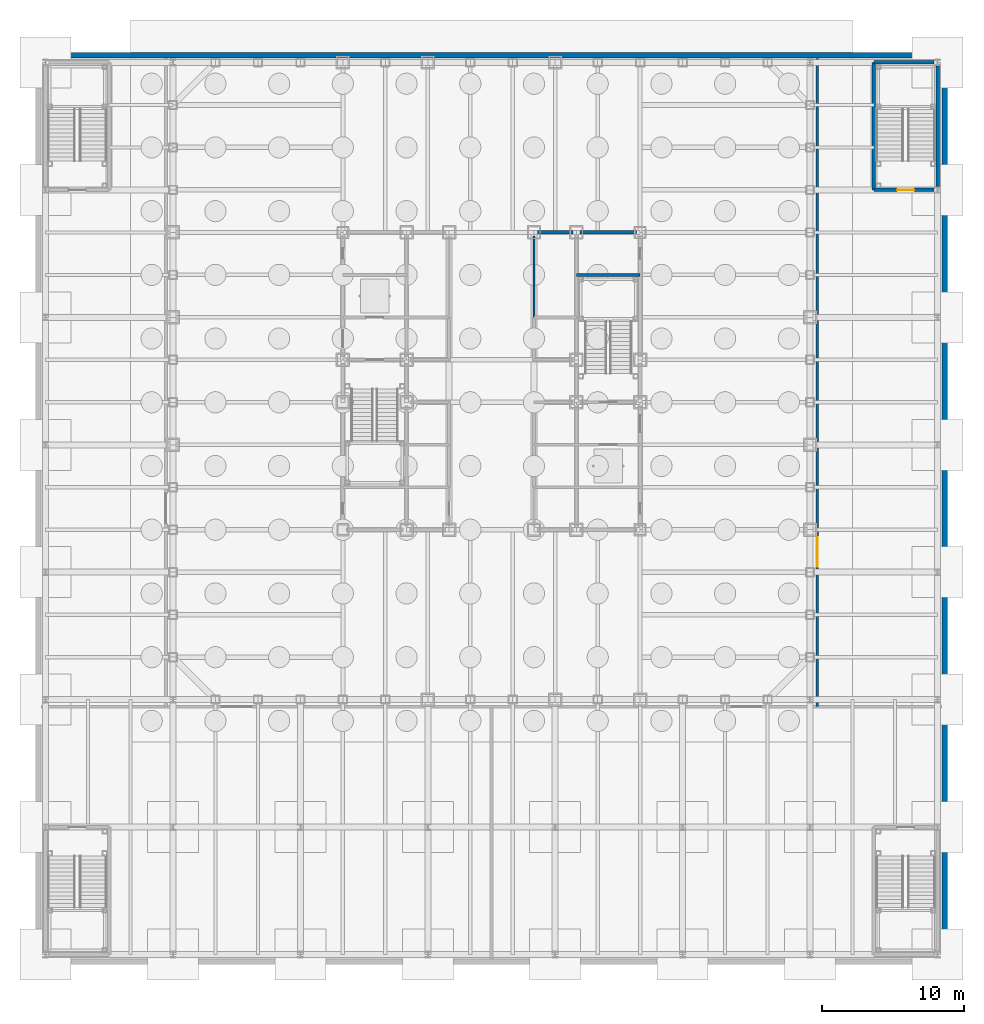
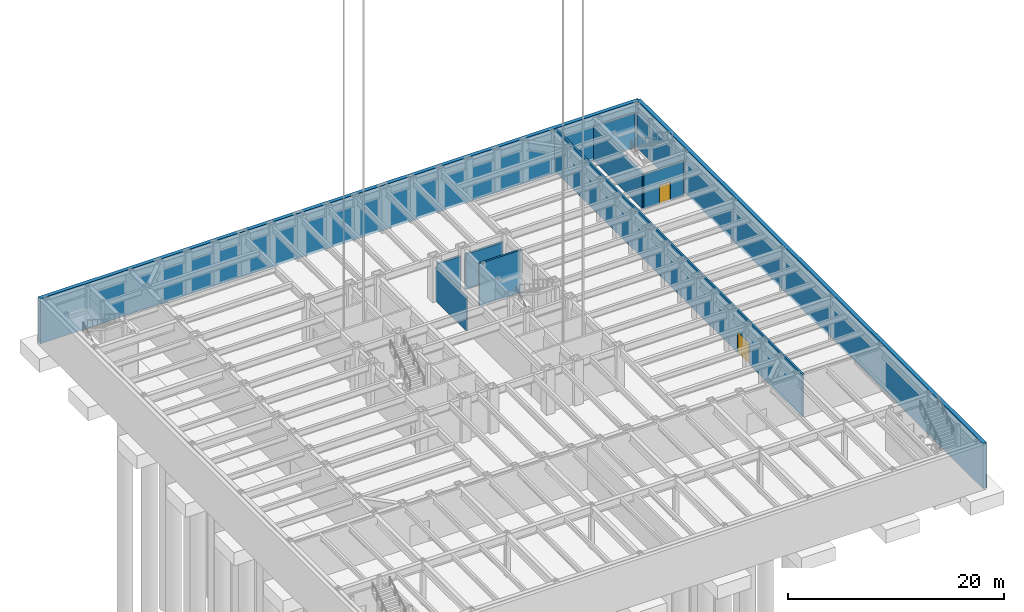
# One storey, part 8 of 18: 11 walls, 2 doors, 2 openings.
"""IFC4 building model written with IfcOpenShell, lengths in metres."""

from ifc_helpers import new_model, si_unit, direction, frame, frame_2d, origin, place, context, subcontext, project, spatial, rectangle, extrude, material, layer, layer_set, type_object, element, fill, save


model = new_model("IFC4")

# Units and contexts
model_context = context("Model", 3, precision=1e-05, world=origin(), true_north=direction((0.0, 1.0)))
body_context = subcontext(model_context, "Body", "Model", "MODEL_VIEW")
ifc_project = project(units=[si_unit("LENGTHUNIT", "METRE"), si_unit("AREAUNIT", "SQUARE_METRE"), si_unit("VOLUMEUNIT", "CUBIC_METRE"), si_unit("PLANEANGLEUNIT", "RADIAN"), si_unit("MASSUNIT", "GRAM", prefix="KILO")], contexts=[model_context])

# Site, building, storey
site_placement = place(None, origin())
site = spatial("IfcSite", under=ifc_project, at=site_placement, CompositionType="ELEMENT")
building_placement = place(site_placement, origin())
building = spatial("IfcBuilding", under=site, at=building_placement, Name="Chuquiago Exchange Tower", CompositionType="ELEMENT")
storey_placement = place(building_placement, frame((0.0, 0.0, -5.0)))
storey = spatial("IfcBuildingStorey", under=building, at=storey_placement, Name="B1", CompositionType="ELEMENT", Elevation=-5.0)

# Walls
ifc_material_1 = material(Name="Concrete masonry, fully grouted", Category="masonry")
ifc_layer_1 = layer(ifc_material_1, 0.25)
ifc_layer_set_1 = layer_set([ifc_layer_1], Name="W1 core wall 250")
wall_type_1 = type_object("IfcWallType", Name="W1 core wall 250", PredefinedType="SOLIDWALL", material=ifc_layer_set_1)
wall_1_placement = place(storey_placement, frame((25.75, 33.0, 0.0), z_axis=(0.0, 0.0, 1.0), x_axis=(1.0, 0.0, 0.0)))
element("IfcWall", 1, at=wall_1_placement, inside=storey, type_object=wall_type_1, Name="CW-B1-12-0", PredefinedType="SOLIDWALL", context=body_context, shape_type="SweptSolid", body=[
    extrude(rectangle(XDim=2.5, YDim=0.25, at=frame_2d((1.25, 0.0))), origin(), (0.0, 0.0, 1.0), 3.94140625),
])
wall_2_placement = place(storey_placement, frame((28.75, 33.0, 0.0), z_axis=(0.0, 0.0, 1.0), x_axis=(1.0, 0.0, 0.0)))
element("IfcWall", 2, at=wall_2_placement, inside=storey, type_object=wall_type_1, Name="CW-B1-12-1", PredefinedType="SOLIDWALL", context=body_context, shape_type="SweptSolid", body=[
    extrude(rectangle(XDim=4.0, YDim=0.25, at=frame_2d((2.0, 0.0))), origin(), (0.0, 0.0, 1.0), 3.94140625),
])

# Wall, opening, door
ifc_material_2 = material(Name="Concrete masonry, fully grouted", Category="masonry")
ifc_layer_2 = layer(ifc_material_2, 0.25)
ifc_layer_set_2 = layer_set([ifc_layer_2], Name="W10 podium stair wall 250")
wall_type_2 = type_object("IfcWallType", Name="W10 podium stair wall 250", PredefinedType="SOLIDWALL", material=ifc_layer_set_2)
wall_3_placement = place(storey_placement, frame((49.5, 36.0, 0.0), z_axis=(0.0, 0.0, 1.0), x_axis=(1.0, 0.0, 0.0)))
wall_3 = element("IfcWall", 3, at=wall_3_placement, inside=storey, type_object=wall_type_2, Name="PSW-B1-PS4-00", PredefinedType="SOLIDWALL", context=body_context, shape_type="SweptSolid", body=[
    extrude(rectangle(XDim=4.25, YDim=0.25, at=frame_2d((2.125, 0.0))), origin(), (0.0, 0.0, 1.0), 3.8525390625),
])
opening_1_placement = place(wall_3_placement, frame((1.64990234375, 0.0, 0.0)))
opening_1 = element("IfcOpeningElement", 4, at=opening_1_placement, cuts=wall_3, Name="Opening B1-019", PredefinedType="OPENING", context=body_context, shape_type="SweptSolid", body=[
    extrude(rectangle(XDim=1.199951171875, YDim=2.10009765625, at=frame_2d((0.60009765625, 1.050048828125))), frame((0.0, 0.135009765625, 0.0), z_axis=(0.0, -1.0, 0.0), x_axis=(1.0, 0.0, 0.0)), (0.0, 0.0, 1.0), 0.27001953125),
])
ifc_material_3 = material(Name="Steel door, painted", Category="steel")
door_type_1 = type_object("IfcDoorType", Name="D4 stair door 1200x2100", OperationType="SINGLE_SWING_LEFT", PredefinedType="DOOR", material=ifc_material_3)
door_1_placement = place(opening_1_placement, origin())
door_1 = element("IfcDoor", 5, at=door_1_placement, inside=storey, type_object=door_type_1, Name="Stair PS4 door", OperationType="SINGLE_SWING_LEFT", OverallHeight=2.10009765625, OverallWidth=1.199951171875, PredefinedType="DOOR", context=body_context, shape_type="SweptSolid", body=[
    extrude(rectangle(XDim=1.199951171875, YDim=2.10009765625, at=frame_2d((0.60009765625, 1.050048828125))), frame((0.0, 0.02490234375, 0.0), z_axis=(0.0, -1.0, 0.0), x_axis=(1.0, 0.0, 0.0)), (0.0, 0.0, 1.0), 0.050048828125),
])
fill(opening_1, door_1)

# Walls
wall_4_placement = place(storey_placement, frame((54.0, 36.25, 0.0), z_axis=(0.0, 0.0, 1.0), x_axis=(0.0, 1.0, 0.0)))
element("IfcWall", 6, at=wall_4_placement, inside=storey, type_object=wall_type_2, Name="PSW-B1-PS4-10", PredefinedType="SOLIDWALL", context=body_context, shape_type="SweptSolid", body=[
    extrude(rectangle(XDim=8.5, YDim=0.25, at=frame_2d((4.25, 0.0))), origin(), (0.0, 0.0, 1.0), 3.8525390625),
])
wall_5_placement = place(storey_placement, frame((49.5, 45.0, 0.0), z_axis=(0.0, 0.0, 1.0), x_axis=(1.0, 0.0, 0.0)))
element("IfcWall", 7, at=wall_5_placement, inside=storey, type_object=wall_type_2, Name="PSW-B1-PS4-20", PredefinedType="SOLIDWALL", context=body_context, shape_type="SweptSolid", body=[
    extrude(rectangle(XDim=4.25, YDim=0.25, at=frame_2d((2.125, 0.0))), origin(), (0.0, 0.0, 1.0), 3.8525390625),
])
wall_6_placement = place(storey_placement, frame((49.5, 36.0, 0.0), z_axis=(0.0, 0.0, 1.0), x_axis=(0.0, 1.0, 0.0)))
element("IfcWall", 8, at=wall_6_placement, inside=storey, type_object=wall_type_2, Name="PSW-B1-PS4-30", PredefinedType="SOLIDWALL", context=body_context, shape_type="SweptSolid", body=[
    extrude(rectangle(XDim=9.0, YDim=0.25, at=frame_2d((4.5, 0.0))), origin(), (0.0, 0.0, 1.0), 3.8525390625),
])
ifc_material_4 = material(Name="Concrete masonry, fully grouted", Category="masonry")
ifc_layer_3 = layer(ifc_material_4, 0.199951171875)
ifc_layer_set_3 = layer_set([ifc_layer_3], Name="W2 shaft wall 200")
wall_type_3 = type_object("IfcWallType", Name="W2 shaft wall 200", PredefinedType="SOLIDWALL", material=ifc_layer_set_3)
wall_7_placement = place(storey_placement, frame((28.5, 30.0, 0.0), z_axis=(0.0, 0.0, 1.0), x_axis=(1.0, 0.0, 0.0)))
element("IfcWall", 9, at=wall_7_placement, inside=storey, type_object=wall_type_3, Name="CW-B1-10-0", PredefinedType="SOLIDWALL", context=body_context, shape_type="SweptSolid", body=[
    extrude(rectangle(XDim=4.5, YDim=0.199951171875, at=frame_2d((2.25, 0.0))), origin(), (0.0, 0.0, 1.0), 4.800048828125),
])
ifc_material_5 = material(Name="Gypsum board on steel studs", Category="steel")
ifc_layer_4 = layer(ifc_material_5, 0.14990234375)
ifc_layer_set_4 = layer_set([ifc_layer_4], Name="W3 core partition 150")
wall_type_4 = type_object("IfcWallType", Name="W3 core partition 150", PredefinedType="PARTITIONING", material=ifc_layer_set_4)
wall_8_placement = place(storey_placement, frame((25.5, 27.0, 0.0), z_axis=(0.0, 0.0, 1.0), x_axis=(0.0, 1.0, 0.0)))
element("IfcWall", 10, at=wall_8_placement, inside=storey, type_object=wall_type_4, Name="CW-B1-23-0", PredefinedType="PARTITIONING", context=body_context, shape_type="SweptSolid", body=[
    extrude(rectangle(XDim=5.75, YDim=0.14990234375, at=frame_2d((2.875, 0.0))), origin(), (0.0, 0.0, 1.0), 3.82470703125),
])

# Wall, opening, door
ifc_material_6 = material(Name="Gypsum board on steel studs, double layer", Category="steel")
ifc_layer_5 = layer(ifc_material_6, 0.199951171875)
ifc_layer_set_5 = layer_set([ifc_layer_5], Name="W6 wing partition 200")
wall_type_5 = type_object("IfcWallType", Name="W6 wing partition 200", PredefinedType="PARTITIONING", material=ifc_layer_set_5)
wall_9_placement = place(storey_placement, frame((45.5, -0.5, 0.0), z_axis=(0.0, 0.0, 1.0), x_axis=(0.0, 1.0, 0.0)))
wall_9 = element("IfcWall", 11, at=wall_9_placement, inside=storey, type_object=wall_type_5, Name="WW-B1-E", PredefinedType="PARTITIONING", context=body_context, shape_type="SweptSolid", body=[
    extrude(rectangle(XDim=45.780029296875, YDim=0.199951171875, at=frame_2d((22.89013671875, 0.0))), origin(), (0.0, 0.0, 1.0), 4.800048828125),
])
opening_2_placement = place(wall_9_placement, frame((9.875, 0.0, 0.0)))
opening_2 = element("IfcOpeningElement", 12, at=opening_2_placement, cuts=wall_9, Name="Opening B1-015", PredefinedType="OPENING", context=body_context, shape_type="SweptSolid", body=[
    extrude(rectangle(XDim=2.10009765625, YDim=2.39990234375, at=frame_2d((1.050048828125, 1.199951171875))), frame((0.0, 0.10986328125, 0.0), z_axis=(0.0, -1.0, 0.0), x_axis=(1.0, 0.0, 0.0)), (0.0, 0.0, 1.0), 0.219970703125),
])
ifc_material_7 = material(Name="Steel door, painted", Category="steel")
door_type_2 = type_object("IfcDoorType", Name="D11 plant room double door 2100x2400", OperationType="DOUBLE_DOOR_DOUBLE_SWING", PredefinedType="DOOR", material=ifc_material_7)
door_2_placement = place(opening_2_placement, origin())
door_2 = element("IfcDoor", 13, at=door_2_placement, inside=storey, type_object=door_type_2, Name="Switch room door", OperationType="DOUBLE_DOOR_DOUBLE_SWING", OverallHeight=2.39990234375, OverallWidth=2.10009765625, PredefinedType="DOOR", context=body_context, shape_type="SweptSolid", body=[
    extrude(rectangle(XDim=2.10009765625, YDim=2.39990234375, at=frame_2d((1.050048828125, 1.199951171875))), frame((0.0, 0.02490234375, 0.0), z_axis=(0.0, -1.0, 0.0), x_axis=(1.0, 0.0, 0.0)), (0.0, 0.0, 1.0), 0.050048828125),
])
fill(opening_2, door_2)

# Walls
ifc_material_8 = material(Name="Concrete C35/45", Category="concrete")
ifc_layer_6 = layer(ifc_material_8, 0.39990234375)
ifc_layer_set_6 = layer_set([ifc_layer_6], Name="W9 retaining wall 400")
wall_type_6 = type_object("IfcWallType", Name="W9 retaining wall 400", PredefinedType="USERDEFINED", material=ifc_layer_set_6)
for number, where, z_axis, x_axis, name in (
    (14, (54.5, -18.5, -0.300048828125), (0.0, 0.0, 1.0), (0.0, 1.0, 0.0), "Basement retaining wall"),
    (15, (54.5, 45.5, -0.300048828125), (0.0, 0.0, 1.0), (-1.0, 0.0, 0.0), "Basement retaining wall"),
):
    element("IfcWall", number, at=place(storey_placement, frame(where, z_axis=z_axis, x_axis=x_axis)), inside=storey, type_object=wall_type_6, Name=name, ObjectType="RETAINING WALL", PredefinedType="USERDEFINED", context=body_context, shape_type="SweptSolid", body=[
        extrude(rectangle(XDim=64.0, YDim=0.39990234375, at=frame_2d((32.0, 0.0))), origin(), (0.0, 0.0, 1.0), 5.10009765625),
    ])

save(model, "model.ifc")
